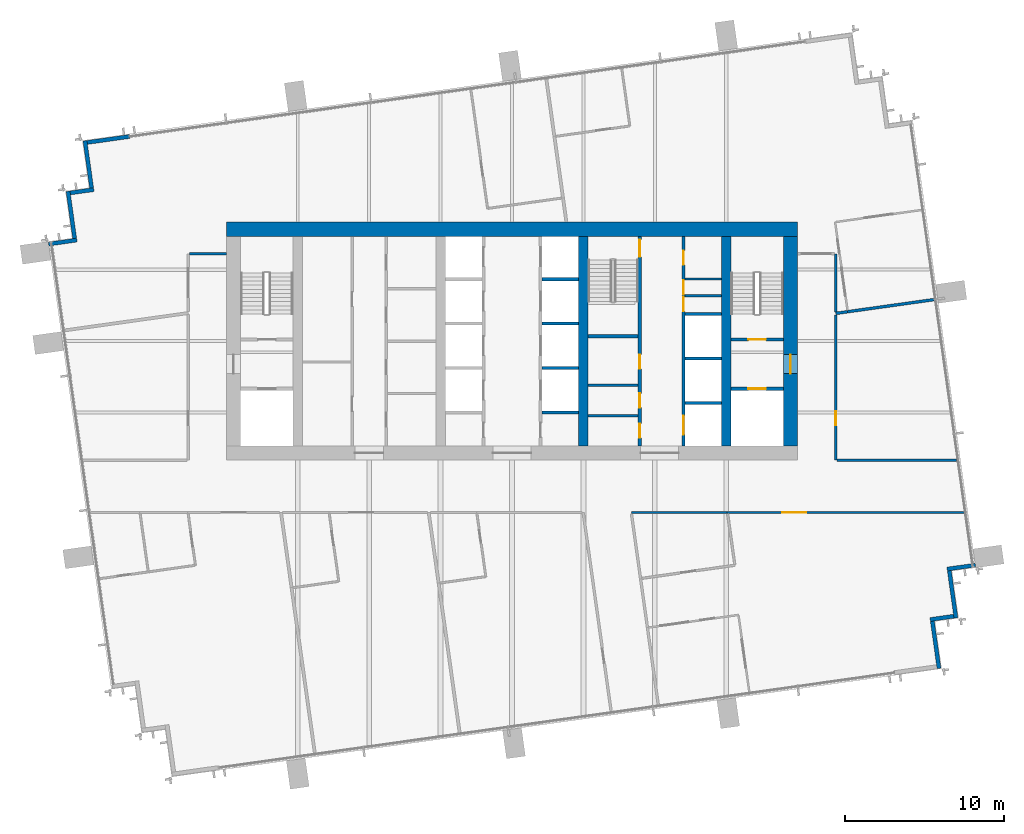
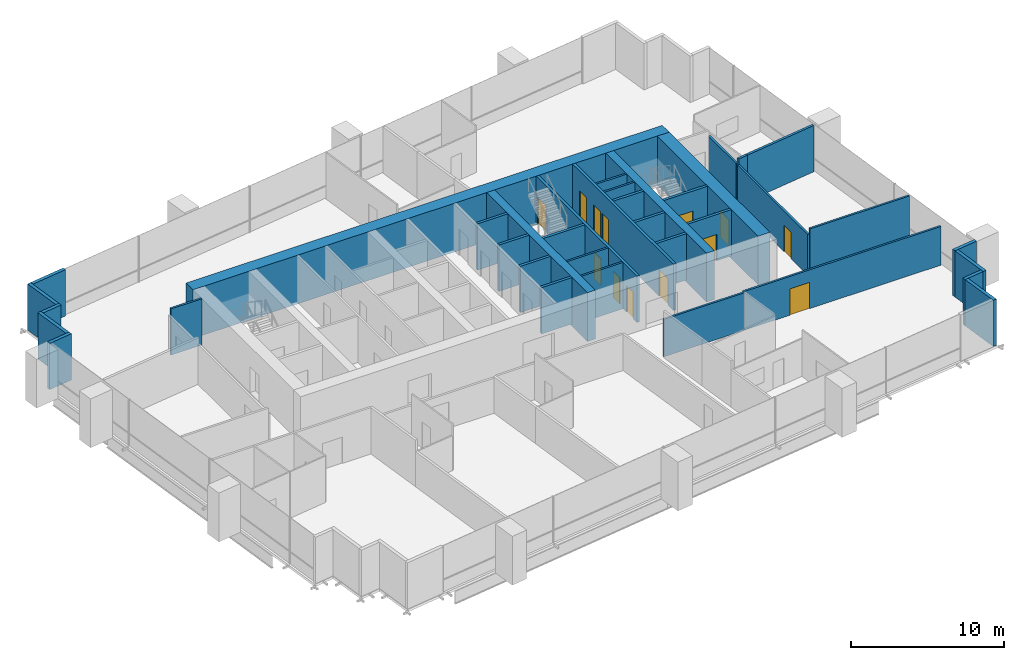
# One storey, part 11 of 14: 37 walls, 13 doors, 13 openings.
"""IFC4 building model written with IfcOpenShell, lengths in metres."""

from ifc_helpers import new_model, si_unit, direction, frame, frame_2d, origin, place, context, subcontext, project, spatial, rectangle, extrude, material, layer, layer_set, type_object, element, fill, save


model = new_model("IFC4")

# Units and contexts
model_context = context("Model", 3, precision=1e-05, world=origin(), true_north=direction((0.0, 1.0)))
body_context = subcontext(model_context, "Body", "Model", "MODEL_VIEW")
ifc_project = project(units=[si_unit("LENGTHUNIT", "METRE"), si_unit("AREAUNIT", "SQUARE_METRE"), si_unit("VOLUMEUNIT", "CUBIC_METRE"), si_unit("PLANEANGLEUNIT", "RADIAN"), si_unit("MASSUNIT", "GRAM", prefix="KILO")], contexts=[model_context])

# Site, building, storey
site_placement = place(None, origin())
site = spatial("IfcSite", under=ifc_project, at=site_placement, CompositionType="ELEMENT")
building_placement = place(site_placement, origin())
building = spatial("IfcBuilding", under=site, at=building_placement, Name="Rattan Terrace Tower", CompositionType="ELEMENT")
storey_placement = place(building_placement, frame((0.0, 0.0, 195.800048828125)))
storey = spatial("IfcBuildingStorey", under=building, at=storey_placement, Name="L45", CompositionType="ELEMENT", Elevation=195.800048828125)

# Walls
ifc_material_1 = material(Name="Gypsum board partition")
ifc_layer_1 = layer(ifc_material_1, 0.14990234375)
ifc_layer_set_1 = layer_set([ifc_layer_1], Name="Core partition 150")
wall_type_1 = type_object("IfcWallType", Name="Core partition 150", PredefinedType="PARTITIONING", material=ifc_layer_set_1)
for number, where, z_axis, x_axis, name in (
    (1, (4.800048828125, -4.696044921875, 0.0), (0.0, 0.0, 1.0), (1.0, 0.0, 0.0), "Toilet wall"),
    (2, (4.800048828125, -2.7919921875, 0.0), (0.0, 0.0, 1.0), (1.0, 0.0, 0.0), "Toilet wall"),
):
    element("IfcWall", number, at=place(storey_placement, frame(where, z_axis=z_axis, x_axis=x_axis)), inside=storey, type_object=wall_type_1, Name=name, PredefinedType="PARTITIONING", context=body_context, shape_type="SweptSolid", body=[
        extrude(rectangle(XDim=3.14990234375, YDim=0.14990234375, at=frame_2d((1.574951171875, 0.0))), origin(), (0.0, 0.0, 1.0), 3.699951171875),
    ])
for number, where, z_axis, x_axis, name in (
    (3, (10.89990234375, 2.85595703125, 0.0), (0.0, 0.0, 1.0), (1.0, 0.0, 0.0), "Riser room wall"),
    (4, (10.89990234375, 3.912109375, 0.0), (0.0, 0.0, 1.0), (1.0, 0.0, 0.0), "Riser room wall"),
):
    element("IfcWall", number, at=place(storey_placement, frame(where, z_axis=z_axis, x_axis=x_axis)), inside=storey, type_object=wall_type_1, Name=name, PredefinedType="PARTITIONING", context=body_context, shape_type="SweptSolid", body=[
        extrude(rectangle(XDim=2.300048828125, YDim=0.14990234375, at=frame_2d((1.14990234375, 0.0))), origin(), (0.0, 0.0, 1.0), 3.699951171875),
    ])

# Wall, opening, door
ifc_material_2 = material(Name="Gypsum board partition")
ifc_layer_2 = layer(ifc_material_2, 0.199951171875)
ifc_layer_set_2 = layer_set([ifc_layer_2], Name="Core partition 200")
wall_type_2 = type_object("IfcWallType", Name="Core partition 200", PredefinedType="PARTITIONING", material=ifc_layer_set_2)
wall_1_placement = place(storey_placement, frame((13.800048828125, -3.0, 0.0), z_axis=(0.0, 0.0, 1.0), x_axis=(1.0, 0.0, 0.0)))
wall_1 = element("IfcWall", 5, at=wall_1_placement, inside=storey, type_object=wall_type_2, Name="Fire-fighting lobby wall", PredefinedType="PARTITIONING", context=body_context, shape_type="SweptSolid", body=[
    extrude(rectangle(XDim=3.300048828125, YDim=0.199951171875, at=frame_2d((1.64990234375, 0.0))), origin(), (0.0, 0.0, 1.0), 3.699951171875),
])
opening_1_placement = place(wall_1_placement, frame((1.10009765625, 0.0, 0.0)))
opening_1 = element("IfcOpeningElement", 6, at=opening_1_placement, cuts=wall_1, Name="Opening L45-LD-FF2", PredefinedType="OPENING", context=body_context, shape_type="SweptSolid", body=[
    extrude(rectangle(XDim=1.10009765625, YDim=2.10009765625, at=frame_2d((0.550048828125, 1.050048828125))), frame((0.0, 0.110595703125, 0.0), z_axis=(0.0, -1.0, 0.0), x_axis=(1.0, 0.0, 0.0)), (0.0, 0.0, 1.0), 0.220947265625),
])
ifc_material_3 = material(Name="Brushed stainless landing door panel")
door_type_1 = type_object("IfcDoorType", Name="Core lift landing door 1100", OperationType="DOUBLE_DOOR_SLIDING", PredefinedType="DOOR", material=ifc_material_3)
door_1_placement = place(opening_1_placement, origin())
door_1 = element("IfcDoor", 7, at=door_1_placement, inside=storey, type_object=door_type_1, Name="Door L45-LD-FF2", OperationType="DOUBLE_DOOR_SLIDING", OverallHeight=2.10009765625, OverallWidth=1.10009765625, PredefinedType="DOOR", context=body_context, shape_type="SweptSolid", body=[
    extrude(rectangle(XDim=1.10009765625, YDim=2.10009765625, at=frame_2d((0.550048828125, 1.050048828125))), frame((0.0, 0.02490234375, 0.0), z_axis=(0.0, -1.0, 0.0), x_axis=(1.0, 0.0, 0.0)), (0.0, 0.0, 1.0), 0.050048828125),
])
fill(opening_1, door_1)

wall_2_placement = place(storey_placement, frame((13.800048828125, 0.10009765625, 0.0), z_axis=(0.0, 0.0, 1.0), x_axis=(1.0, 0.0, 0.0)))
wall_2 = element("IfcWall", 8, at=wall_2_placement, inside=storey, type_object=wall_type_2, Name="Stair enclosure wall", PredefinedType="PARTITIONING", context=body_context, shape_type="SweptSolid", body=[
    extrude(rectangle(XDim=3.300048828125, YDim=0.199951171875, at=frame_2d((1.64990234375, 0.0))), origin(), (0.0, 0.0, 1.0), 3.699951171875),
])
opening_2_placement = place(wall_2_placement, frame((1.10009765625, 0.0, 0.0)))
opening_2 = element("IfcOpeningElement", 9, at=opening_2_placement, cuts=wall_2, Name="Opening L45-D004", PredefinedType="OPENING", context=body_context, shape_type="SweptSolid", body=[
    extrude(rectangle(XDim=1.10009765625, YDim=2.10009765625, at=frame_2d((0.550048828125, 1.050048828125))), frame((0.0, 0.110595703125, 0.0), z_axis=(0.0, -1.0, 0.0), x_axis=(1.0, 0.0, 0.0)), (0.0, 0.0, 1.0), 0.220947265625),
])
ifc_material_4 = material(Name="Hollow-metal fire door leaf")
door_type_2 = type_object("IfcDoorType", Name="Core stair door 1100", OperationType="NOTDEFINED", PredefinedType="DOOR", material=ifc_material_4)
door_2_placement = place(opening_2_placement, origin())
door_2 = element("IfcDoor", 10, at=door_2_placement, inside=storey, type_object=door_type_2, Name="Door L45-D004", OperationType="SINGLE_SWING_RIGHT", OverallHeight=2.10009765625, OverallWidth=1.10009765625, PredefinedType="DOOR", context=body_context, shape_type="SweptSolid", body=[
    extrude(rectangle(XDim=1.10009765625, YDim=2.10009765625, at=frame_2d((0.550048828125, 1.050048828125))), frame((0.0, 0.02490234375, 0.0), z_axis=(0.0, -1.0, 0.0), x_axis=(1.0, 0.0, 0.0)), (0.0, 0.0, 1.0), 0.050048828125),
])
fill(opening_2, door_2)

# Wall, openings, doors
wall_3_placement = place(storey_placement, frame((8.050048828125, -6.60009765625, 0.0), z_axis=(0.0, 0.0, 1.0), x_axis=(0.0, 1.0, 0.0)))
wall_3 = element("IfcWall", 11, at=wall_3_placement, inside=storey, type_object=wall_type_2, Name="Lobby wall west", PredefinedType="PARTITIONING", context=body_context, shape_type="SweptSolid", body=[
    extrude(rectangle(XDim=13.2001953125, YDim=0.199951171875, at=frame_2d((6.60009765625, 0.0))), origin(), (0.0, 0.0, 1.0), 3.699951171875),
])
opening_3_placement = place(wall_3_placement, frame((0.501953125, 0.0, 0.0)))
opening_3 = element("IfcOpeningElement", 12, at=opening_3_placement, cuts=wall_3, Name="Opening L45-D015", PredefinedType="OPENING", context=body_context, shape_type="SweptSolid", body=[
    extrude(rectangle(XDim=0.89990234375, YDim=2.10009765625, at=frame_2d((0.449951171875, 1.050048828125))), frame((0.0, 0.110595703125, 0.0), z_axis=(0.0, -1.0, 0.0), x_axis=(1.0, 0.0, 0.0)), (0.0, 0.0, 1.0), 0.220947265625),
])
opening_4_placement = place(wall_3_placement, frame((2.406005859375, 0.0, 0.0)))
opening_4 = element("IfcOpeningElement", 13, at=opening_4_placement, cuts=wall_3, Name="Opening L45-D016", PredefinedType="OPENING", context=body_context, shape_type="SweptSolid", body=[
    extrude(rectangle(XDim=0.89990234375, YDim=2.10009765625, at=frame_2d((0.449951171875, 1.050048828125))), frame((0.0, 0.110595703125, 0.0), z_axis=(0.0, -1.0, 0.0), x_axis=(1.0, 0.0, 0.0)), (0.0, 0.0, 1.0), 0.220947265625),
])
opening_5_placement = place(wall_3_placement, frame((4.85400390625, 0.0, 0.0)))
opening_5 = element("IfcOpeningElement", 14, at=opening_5_placement, cuts=wall_3, Name="Opening L45-D017", PredefinedType="OPENING", context=body_context, shape_type="SweptSolid", body=[
    extrude(rectangle(XDim=0.89990234375, YDim=2.10009765625, at=frame_2d((0.449951171875, 1.050048828125))), frame((0.0, 0.110595703125, 0.0), z_axis=(0.0, -1.0, 0.0), x_axis=(1.0, 0.0, 0.0)), (0.0, 0.0, 1.0), 0.220947265625),
])
opening_6_placement = place(wall_3_placement, frame((11.89990234375, 0.0, 0.0)))
opening_6 = element("IfcOpeningElement", 15, at=opening_6_placement, cuts=wall_3, Name="Opening L45-D018", PredefinedType="OPENING", context=body_context, shape_type="SweptSolid", body=[
    extrude(rectangle(XDim=1.10009765625, YDim=2.10009765625, at=frame_2d((0.550048828125, 1.050048828125))), frame((0.0, 0.110595703125, 0.0), z_axis=(0.0, -1.0, 0.0), x_axis=(1.0, 0.0, 0.0)), (0.0, 0.0, 1.0), 0.220947265625),
])
door_3_placement = place(opening_6_placement, origin())
door_3 = element("IfcDoor", 16, at=door_3_placement, inside=storey, type_object=door_type_2, Name="Door L45-D018", OperationType="SINGLE_SWING_LEFT", OverallHeight=2.10009765625, OverallWidth=1.10009765625, PredefinedType="DOOR", context=body_context, shape_type="SweptSolid", body=[
    extrude(rectangle(XDim=1.10009765625, YDim=2.10009765625, at=frame_2d((0.550048828125, 1.050048828125))), frame((0.0, 0.02490234375, 0.0), z_axis=(0.0, -1.0, 0.0), x_axis=(1.0, 0.0, 0.0)), (0.0, 0.0, 1.0), 0.050048828125),
])
fill(opening_6, door_3)
ifc_material_5 = material(Name="Hollow-metal fire door leaf")
door_type_3 = type_object("IfcDoorType", Name="Core toilet door 900", OperationType="NOTDEFINED", PredefinedType="DOOR", material=ifc_material_5)
door_4_placement = place(opening_3_placement, origin())
door_4 = element("IfcDoor", 17, at=door_4_placement, inside=storey, type_object=door_type_3, Name="Door L45-D015", OperationType="SINGLE_SWING_RIGHT", OverallHeight=2.10009765625, OverallWidth=0.89990234375, PredefinedType="DOOR", context=body_context, shape_type="SweptSolid", body=[
    extrude(rectangle(XDim=0.89990234375, YDim=2.10009765625, at=frame_2d((0.449951171875, 1.050048828125))), frame((0.0, 0.02490234375, 0.0), z_axis=(0.0, -1.0, 0.0), x_axis=(1.0, 0.0, 0.0)), (0.0, 0.0, 1.0), 0.050048828125),
])
fill(opening_3, door_4)
door_5_placement = place(opening_4_placement, origin())
door_5 = element("IfcDoor", 18, at=door_5_placement, inside=storey, type_object=door_type_3, Name="Door L45-D016", OperationType="SINGLE_SWING_LEFT", OverallHeight=2.10009765625, OverallWidth=0.89990234375, PredefinedType="DOOR", context=body_context, shape_type="SweptSolid", body=[
    extrude(rectangle(XDim=0.89990234375, YDim=2.10009765625, at=frame_2d((0.449951171875, 1.050048828125))), frame((0.0, 0.02490234375, 0.0), z_axis=(0.0, -1.0, 0.0), x_axis=(1.0, 0.0, 0.0)), (0.0, 0.0, 1.0), 0.050048828125),
])
fill(opening_4, door_5)
door_6_placement = place(opening_5_placement, origin())
door_6 = element("IfcDoor", 19, at=door_6_placement, inside=storey, type_object=door_type_3, Name="Door L45-D017", OperationType="SINGLE_SWING_RIGHT", OverallHeight=2.10009765625, OverallWidth=0.89990234375, PredefinedType="DOOR", context=body_context, shape_type="SweptSolid", body=[
    extrude(rectangle(XDim=0.89990234375, YDim=2.10009765625, at=frame_2d((0.449951171875, 1.050048828125))), frame((0.0, 0.02490234375, 0.0), z_axis=(0.0, -1.0, 0.0), x_axis=(1.0, 0.0, 0.0)), (0.0, 0.0, 1.0), 0.050048828125),
])
fill(opening_5, door_6)

# Walls
wall_4_placement = place(storey_placement, frame((4.800048828125, 0.300048828125, 0.0), z_axis=(0.0, 0.0, 1.0), x_axis=(1.0, 0.0, 0.0)))
element("IfcWall", 20, at=wall_4_placement, inside=storey, type_object=wall_type_2, Name="Stair enclosure wall", PredefinedType="PARTITIONING", context=body_context, shape_type="SweptSolid", body=[
    extrude(rectangle(XDim=3.14990234375, YDim=0.199951171875, at=frame_2d((1.574951171875, 0.0))), origin(), (0.0, 0.0, 1.0), 3.699951171875),
])
ifc_material_6 = material(Name="Concrete C60/75", Category="concrete")
ifc_layer_3 = layer(ifc_material_6, 0.89990234375)
ifc_layer_set_3 = layer_set([ifc_layer_3], Name="Core ring wall 900 C60/75")
wall_type_3 = type_object("IfcWallType", Name="Core ring wall 900 C60/75", PredefinedType="SHEAR", material=ifc_layer_set_3)
wall_5_placement = place(storey_placement, frame((-18.0, 7.050048828125, -0.199951171875), z_axis=(0.0, 0.0, 1.0), x_axis=(1.0, 0.0, 0.0)))
element("IfcWall", 21, at=wall_5_placement, inside=storey, type_object=wall_type_3, Name="Rear core wall north", PredefinedType="SHEAR", context=body_context, shape_type="SweptSolid", body=[
    extrude(rectangle(XDim=36.0, YDim=0.89990234375, at=frame_2d((18.0, 0.0))), origin(), (0.0, 0.0, 1.0), 3.89990234375),
])

# Wall, opening, door
wall_6_placement = place(storey_placement, frame((17.550048828125, -6.60009765625, -0.199951171875), z_axis=(0.0, 0.0, 1.0), x_axis=(0.0, 1.0, 0.0)))
wall_6 = element("IfcWall", 22, at=wall_6_placement, inside=storey, type_object=wall_type_3, Name="Rear core wall east", PredefinedType="SHEAR", context=body_context, shape_type="SweptSolid", body=[
    extrude(rectangle(XDim=13.2001953125, YDim=0.89990234375, at=frame_2d((6.60009765625, 0.0))), origin(), (0.0, 0.0, 1.0), 3.89990234375),
])
opening_7_placement = place(wall_6_placement, frame((4.550048828125, 0.0, 0.199951171875)))
opening_7 = element("IfcOpeningElement", 23, at=opening_7_placement, cuts=wall_6, Name="Opening L45-D003", PredefinedType="OPENING", context=body_context, shape_type="SweptSolid", body=[
    extrude(rectangle(XDim=1.199951171875, YDim=2.10009765625, at=frame_2d((0.60009765625, 1.050048828125))), frame((0.0, 0.46044921875, 0.0), z_axis=(0.0, -1.0, 0.0), x_axis=(1.0, 0.0, 0.0)), (0.0, 0.0, 1.0), 0.9208984375),
])
ifc_material_7 = material(Name="Hollow-metal fire door leaf")
door_type_4 = type_object("IfcDoorType", Name="Core fire-fighting lobby door 1200", OperationType="NOTDEFINED", PredefinedType="DOOR", material=ifc_material_7)
door_7_placement = place(opening_7_placement, origin())
door_7 = element("IfcDoor", 24, at=door_7_placement, inside=storey, type_object=door_type_4, Name="Door L45-D003", OperationType="SINGLE_SWING_LEFT", OverallHeight=2.10009765625, OverallWidth=1.199951171875, PredefinedType="DOOR", context=body_context, shape_type="SweptSolid", body=[
    extrude(rectangle(XDim=1.199951171875, YDim=2.10009765625, at=frame_2d((0.60009765625, 1.050048828125))), frame((0.0, 0.02490234375, 0.0), z_axis=(0.0, -1.0, 0.0), x_axis=(1.0, 0.0, 0.0)), (0.0, 0.0, 1.0), 0.050048828125),
])
fill(opening_7, door_7)

# Walls
ifc_material_8 = material(Name="Concrete C60/75", Category="concrete")
ifc_layer_4 = layer(ifc_material_8, 0.60009765625)
ifc_layer_set_4 = layer_set([ifc_layer_4], Name="Core spine wall 600 C60/75")
wall_type_4 = type_object("IfcWallType", Name="Core spine wall 600 C60/75", PredefinedType="SHEAR", material=ifc_layer_set_4)
for number, where, z_axis, x_axis, name in (
    (25, (4.5, -6.60009765625, -0.199951171875), (0.0, 0.0, 1.0), (0.0, 1.0, 0.0), "Core spine wall 3"),
    (26, (13.5, -6.60009765625, -0.199951171875), (0.0, 0.0, 1.0), (0.0, 1.0, 0.0), "Core spine wall 4"),
):
    element("IfcWall", number, at=place(storey_placement, frame(where, z_axis=z_axis, x_axis=x_axis)), inside=storey, type_object=wall_type_4, Name=name, PredefinedType="SHEAR", context=body_context, shape_type="SweptSolid", body=[
        extrude(rectangle(XDim=13.2001953125, YDim=0.60009765625, at=frame_2d((6.60009765625, 0.0))), origin(), (0.0, 0.0, 1.0), 3.89990234375),
    ])
ifc_material_9 = material(Name="Insulated aluminium-clad stud wall", Category="aluminium")
ifc_layer_5 = layer(ifc_material_9, 0.25)
ifc_layer_set_5 = layer_set([ifc_layer_5], Name="Facade Riser Wall 250")
wall_type_5 = type_object("IfcWallType", Name="Facade Riser Wall 250", PredefinedType="SOLIDWALL", material=ifc_layer_set_5)
wall_7_placement = place(storey_placement, frame((26.9052734375, -20.6220703125, 0.0), z_axis=(0.0, 0.0, 1.0), x_axis=(-0.139313431826, 0.990248336385, 0.0)))
element("IfcWall", 27, at=wall_7_placement, inside=storey, type_object=wall_type_5, Name="Riser wall L45-2", PredefinedType="SOLIDWALL", context=body_context, shape_type="SweptSolid", body=[
    extrude(rectangle(XDim=3.000244140625, YDim=0.25, at=frame_2d((1.5, 0.0))), origin(), (0.0, 0.0, 1.0), 3.699951171875),
])
wall_8_placement = place(storey_placement, frame((26.34619140625, -17.54443359375, 0.0), z_axis=(0.0, 0.0, 1.0), x_axis=(0.990368090482, 0.13845954411, 0.0)))
element("IfcWall", 28, at=wall_8_placement, inside=storey, type_object=wall_type_5, Name="Riser wall L45-3", PredefinedType="SOLIDWALL", context=body_context, shape_type="SweptSolid", body=[
    extrude(rectangle(XDim=1.50048828125, YDim=0.25, at=frame_2d((0.750244140625, 0.0))), origin(), (0.0, 0.0, 1.0), 3.699951171875),
])
wall_9_placement = place(storey_placement, frame((27.973388671875, -17.443115234375, 0.0), z_axis=(0.0, 0.0, 1.0), x_axis=(-0.139313431826, 0.990248336385, 0.0)))
element("IfcWall", 29, at=wall_9_placement, inside=storey, type_object=wall_type_5, Name="Riser wall L45-4", PredefinedType="SOLIDWALL", context=body_context, shape_type="SweptSolid", body=[
    extrude(rectangle(XDim=3.000244140625, YDim=0.25, at=frame_2d((1.5, 0.0))), origin(), (0.0, 0.0, 1.0), 3.699951171875),
])
wall_10_placement = place(storey_placement, frame((27.414306640625, -14.36572265625, 0.0), z_axis=(0.0, 0.0, 1.0), x_axis=(0.990256286673, 0.139256908998, 0.0)))
element("IfcWall", 30, at=wall_10_placement, inside=storey, type_object=wall_type_5, Name="Riser wall L45-5", PredefinedType="SOLIDWALL", context=body_context, shape_type="SweptSolid", body=[
    extrude(rectangle(XDim=1.800537109375, YDim=0.25, at=frame_2d((0.900390625, 0.0))), origin(), (0.0, 0.0, 1.0), 3.699951171875),
])
wall_11_placement = place(storey_placement, frame((-24.08544921875, 12.892578125, 0.0), z_axis=(0.0, 0.0, 1.0), x_axis=(-0.990255800966, -0.139260362823, 0.0)))
element("IfcWall", 31, at=wall_11_placement, inside=storey, type_object=wall_type_5, Name="Riser wall L45-11", PredefinedType="SOLIDWALL", context=body_context, shape_type="SweptSolid", body=[
    extrude(rectangle(XDim=2.705078125, YDim=0.25, at=frame_2d((1.3525390625, 0.0))), origin(), (0.0, 0.0, 1.0), 3.699951171875),
])
wall_12_placement = place(storey_placement, frame((-26.9052734375, 12.6220703125, 0.0), z_axis=(0.0, 0.0, 1.0), x_axis=(0.139313431826, -0.990248336385, 0.0)))
element("IfcWall", 32, at=wall_12_placement, inside=storey, type_object=wall_type_5, Name="Riser wall L45-12", PredefinedType="SOLIDWALL", context=body_context, shape_type="SweptSolid", body=[
    extrude(rectangle(XDim=3.000244140625, YDim=0.25, at=frame_2d((1.5, 0.0))), origin(), (0.0, 0.0, 1.0), 3.699951171875),
])
wall_13_placement = place(storey_placement, frame((-26.34619140625, 9.54443359375, 0.0), z_axis=(0.0, 0.0, 1.0), x_axis=(-0.990368090482, -0.13845954411, 0.0)))
element("IfcWall", 33, at=wall_13_placement, inside=storey, type_object=wall_type_5, Name="Riser wall L45-13", PredefinedType="SOLIDWALL", context=body_context, shape_type="SweptSolid", body=[
    extrude(rectangle(XDim=1.50048828125, YDim=0.25, at=frame_2d((0.750244140625, 0.0))), origin(), (0.0, 0.0, 1.0), 3.699951171875),
])
wall_14_placement = place(storey_placement, frame((-27.973388671875, 9.443115234375, 0.0), z_axis=(0.0, 0.0, 1.0), x_axis=(0.139313431826, -0.990248336385, 0.0)))
element("IfcWall", 34, at=wall_14_placement, inside=storey, type_object=wall_type_5, Name="Riser wall L45-14", PredefinedType="SOLIDWALL", context=body_context, shape_type="SweptSolid", body=[
    extrude(rectangle(XDim=3.000244140625, YDim=0.25, at=frame_2d((1.5, 0.0))), origin(), (0.0, 0.0, 1.0), 3.699951171875),
])
wall_15_placement = place(storey_placement, frame((-27.414306640625, 6.36572265625, 0.0), z_axis=(0.0, 0.0, 1.0), x_axis=(-0.990256286673, -0.139256908998, 0.0)))
element("IfcWall", 35, at=wall_15_placement, inside=storey, type_object=wall_type_5, Name="Riser wall L45-15", PredefinedType="SOLIDWALL", context=body_context, shape_type="SweptSolid", body=[
    extrude(rectangle(XDim=1.800537109375, YDim=0.25, at=frame_2d((0.900390625, 0.0))), origin(), (0.0, 0.0, 1.0), 3.699951171875),
])
ifc_material_10 = material(Name="Double steel stud acoustic partition, gypsum board, mineral wool, fire rated", Category="steel")
ifc_layer_6 = layer(ifc_material_10, 0.179931640625)
ifc_layer_set_6 = layer_set([ifc_layer_6], Name="Floors Acoustic Party Wall 180")
wall_type_6 = type_object("IfcWallType", Name="Floors Acoustic Party Wall 180", PredefinedType="PARTITIONING", material=ifc_layer_set_6)
wall_16_placement = place(storey_placement, frame((20.39892578125, 1.7451171875, 0.0), z_axis=(0.0, 0.0, 1.0), x_axis=(0.990315465901, 0.138835434947, 0.0)))
element("IfcWall", 36, at=wall_16_placement, inside=storey, type_object=wall_type_6, Name="pt-L45-044", PredefinedType="PARTITIONING", context=body_context, shape_type="SweptSolid", body=[
    extrude(rectangle(XDim=0.740234375, YDim=0.179931640625, at=frame_2d((0.3701171875, 0.0))), origin(), (0.0, 0.0, 1.0), 3.699951171875),
])
wall_17_placement = place(storey_placement, frame((21.132080078125, 1.847900390625, 0.0), z_axis=(0.0, 0.0, 1.0), x_axis=(0.990277893792, 0.139103174181, 0.0)))
element("IfcWall", 37, at=wall_17_placement, inside=storey, type_object=wall_type_6, Name="pt-L45-045", PredefinedType="PARTITIONING", context=body_context, shape_type="SweptSolid", body=[
    extrude(rectangle(XDim=5.50048828125, YDim=0.179931640625, at=frame_2d((2.750244140625, 0.0))), origin(), (0.0, 0.0, 1.0), 3.699951171875),
])

# Wall, opening, door
ifc_material_11 = material(Name="Gypsum board partition on steel studs, fire rated", Category="steel")
ifc_layer_7 = layer(ifc_material_11, 0.14990234375)
ifc_layer_set_7 = layer_set([ifc_layer_7], Name="Floors Tenancy Wall 150")
wall_type_7 = type_object("IfcWallType", Name="Floors Tenancy Wall 150", PredefinedType="PARTITIONING", material=ifc_layer_set_7)
wall_18_placement = place(storey_placement, frame((28.462890625, -10.800048828125, 0.0), z_axis=(0.0, 0.0, 1.0), x_axis=(-1.0, 0.0, 0.0)))
wall_18 = element("IfcWall", 38, at=wall_18_placement, inside=storey, type_object=wall_type_7, Name="pt-L45-010", PredefinedType="PARTITIONING", context=body_context, shape_type="SweptSolid", body=[
    extrude(rectangle(XDim=14.908935546875, YDim=0.14990234375, at=frame_2d((7.45458984375, 0.0))), origin(), (0.0, 0.0, 1.0), 3.099853515625),
])
opening_8_placement = place(wall_18_placement, frame((9.931884765625, 0.0, 0.0)))
opening_8 = element("IfcOpeningElement", 39, at=opening_8_placement, cuts=wall_18, Name="Opening L45-D107", PredefinedType="OPENING", context=body_context, shape_type="SweptSolid", body=[
    extrude(rectangle(XDim=1.5, YDim=2.10009765625, at=frame_2d((0.75, 1.050048828125))), frame((0.0, 0.08544921875, 0.0), z_axis=(0.0, -1.0, 0.0), x_axis=(1.0, 0.0, 0.0)), (0.0, 0.0, 1.0), 0.1708984375),
])
ifc_material_12 = material(Name="Steel fire door set", Category="steel")
door_type_5 = type_object("IfcDoorType", Name="Floors Unit Door Pair FD30S 1500x2100", OperationType="NOTDEFINED", PredefinedType="DOOR", material=ifc_material_12)
door_8_placement = place(opening_8_placement, origin())
door_8 = element("IfcDoor", 40, at=door_8_placement, inside=storey, type_object=door_type_5, Name="d-L45-107", OperationType="DOUBLE_DOOR_SINGLE_SWING", OverallHeight=2.10009765625, OverallWidth=1.5, PredefinedType="DOOR", context=body_context, shape_type="SweptSolid", body=[
    extrude(rectangle(XDim=1.5, YDim=2.10009765625, at=frame_2d((0.75, 1.050048828125))), frame((0.0, 0.02490234375, 0.0), z_axis=(0.0, -1.0, 0.0), x_axis=(1.0, 0.0, 0.0)), (0.0, 0.0, 1.0), 0.050048828125),
])
fill(opening_8, door_8)

# Walls
wall_19_placement = place(storey_placement, frame((13.553955078125, -10.800048828125, 0.0), z_axis=(0.0, 0.0, 1.0), x_axis=(-1.0, 0.0, 0.0)))
element("IfcWall", 41, at=wall_19_placement, inside=storey, type_object=wall_type_7, Name="pt-L45-013", PredefinedType="PARTITIONING", context=body_context, shape_type="SweptSolid", body=[
    extrude(rectangle(XDim=6.0390625, YDim=0.14990234375, at=frame_2d((3.01953125, 0.0))), origin(), (0.0, 0.0, 1.0), 3.0),
])
wall_20_placement = place(storey_placement, frame((-20.324951171875, 5.5009765625, 0.0), z_axis=(0.0, 0.0, 1.0), x_axis=(1.0, 0.0, 0.0)))
element("IfcWall", 42, at=wall_20_placement, inside=storey, type_object=wall_type_7, Name="pt-L45-017", PredefinedType="PARTITIONING", context=body_context, shape_type="SweptSolid", body=[
    extrude(rectangle(XDim=2.324951171875, YDim=0.14990234375, at=frame_2d((1.16259765625, 0.0))), origin(), (0.0, 0.0, 1.0), 3.699951171875),
])

# Wall, opening, door
wall_21_placement = place(storey_placement, frame((20.39990234375, 1.656005859375, 0.0), z_axis=(0.0, 0.0, 1.0), x_axis=(0.0, -1.0, 0.0)))
wall_21 = element("IfcWall", 43, at=wall_21_placement, inside=storey, type_object=wall_type_7, Name="pt-L45-018", PredefinedType="PARTITIONING", context=body_context, shape_type="SweptSolid", body=[
    extrude(rectangle(XDim=9.156005859375, YDim=0.14990234375, at=frame_2d((4.578125, 0.0))), origin(), (0.0, 0.0, 1.0), 3.25),
])
opening_9_placement = place(wall_21_placement, frame((6.06689453125, 0.0, 0.0)))
opening_9 = element("IfcOpeningElement", 44, at=opening_9_placement, cuts=wall_21, Name="Opening L45-D113", PredefinedType="OPENING", context=body_context, shape_type="SweptSolid", body=[
    extrude(rectangle(XDim=0.89990234375, YDim=2.10009765625, at=frame_2d((0.449951171875, 1.050048828125))), frame((0.0, 0.08544921875, 0.0), z_axis=(0.0, -1.0, 0.0), x_axis=(1.0, 0.0, 0.0)), (0.0, 0.0, 1.0), 0.1708984375),
])
ifc_material_13 = material(Name="Steel fire door set", Category="steel")
door_type_6 = type_object("IfcDoorType", Name="Floors Fire Door FD30S 900x2100", OperationType="NOTDEFINED", PredefinedType="DOOR", material=ifc_material_13)
door_9_placement = place(opening_9_placement, origin())
door_9 = element("IfcDoor", 45, at=door_9_placement, inside=storey, type_object=door_type_6, Name="d-L45-113", OperationType="SINGLE_SWING_RIGHT", OverallHeight=2.10009765625, OverallWidth=0.89990234375, PredefinedType="DOOR", context=body_context, shape_type="SweptSolid", body=[
    extrude(rectangle(XDim=0.89990234375, YDim=2.10009765625, at=frame_2d((0.449951171875, 1.050048828125))), frame((0.0, 0.02490234375, 0.0), z_axis=(0.0, -1.0, 0.0), x_axis=(1.0, 0.0, 0.0)), (0.0, 0.0, 1.0), 0.050048828125),
])
fill(opening_9, door_9)

# Walls
wall_22_placement = place(storey_placement, frame((20.47509765625, -7.5, 0.0), z_axis=(0.0, 0.0, 1.0), x_axis=(1.0, 0.0, 0.0)))
element("IfcWall", 46, at=wall_22_placement, inside=storey, type_object=wall_type_7, Name="pt-L45-019", PredefinedType="PARTITIONING", context=body_context, shape_type="SweptSolid", body=[
    extrude(rectangle(XDim=7.52392578125, YDim=0.14990234375, at=frame_2d((3.761962890625, 0.0))), origin(), (0.0, 0.0, 1.0), 3.699951171875),
])
wall_23_placement = place(storey_placement, frame((20.39990234375, 5.5, 0.0), z_axis=(0.0, 0.0, 1.0), x_axis=(0.0, -1.0, 0.0)))
element("IfcWall", 47, at=wall_23_placement, inside=storey, type_object=wall_type_7, Name="pt-L45-021", PredefinedType="PARTITIONING", context=body_context, shape_type="SweptSolid", body=[
    extrude(rectangle(XDim=3.654052734375, YDim=0.14990234375, at=frame_2d((1.8271484375, 0.0))), origin(), (0.0, 0.0, 1.0), 3.25),
])
ifc_material_14 = material(Name="Gypsum shaft wall system")
ifc_layer_8 = layer(ifc_material_14, 0.199951171875)
ifc_layer_set_8 = layer_set([ifc_layer_8], Name="Lift shaft wall 200")
wall_type_8 = type_object("IfcWallType", Name="Lift shaft wall 200", PredefinedType="PARTITIONING", material=ifc_layer_set_8)
for number, where, z_axis, x_axis, name in (
    (48, (1.89990234375, -1.699951171875, 0.0), (0.0, 0.0, 1.0), (1.0, 0.0, 0.0), "Lift shaft wall"),
    (49, (1.89990234375, 1.10009765625, 0.0), (0.0, 0.0, 1.0), (1.0, 0.0, 0.0), "Lift shaft wall"),
    (50, (1.89990234375, 3.89990234375, 0.0), (0.0, 0.0, 1.0), (1.0, 0.0, 0.0), "Lift shaft wall"),
    (51, (1.89990234375, -4.5, 0.0), (0.0, 0.0, 1.0), (1.0, 0.0, 0.0), "Lift shaft wall"),
):
    element("IfcWall", number, at=place(storey_placement, frame(where, z_axis=z_axis, x_axis=x_axis)), inside=storey, type_object=wall_type_8, Name=name, PredefinedType="PARTITIONING", context=body_context, shape_type="SweptSolid", body=[
        extrude(rectangle(XDim=2.300048828125, YDim=0.199951171875, at=frame_2d((1.14990234375, 0.0))), origin(), (0.0, 0.0, 1.0), 3.699951171875),
    ])

# Wall, openings, doors
wall_24_placement = place(storey_placement, frame((10.800048828125, -6.60009765625, 0.0), z_axis=(0.0, 0.0, 1.0), x_axis=(0.0, 1.0, 0.0)))
wall_24 = element("IfcWall", 52, at=wall_24_placement, inside=storey, type_object=wall_type_8, Name="Lift shaft front wall", PredefinedType="PARTITIONING", context=body_context, shape_type="SweptSolid", body=[
    extrude(rectangle(XDim=13.2001953125, YDim=0.199951171875, at=frame_2d((6.60009765625, 0.0))), origin(), (0.0, 0.0, 1.0), 3.699951171875),
])
opening_10_placement = place(wall_24_placement, frame((0.699951171875, 0.0, 0.0)))
opening_10 = element("IfcOpeningElement", 53, at=opening_10_placement, cuts=wall_24, Name="Opening L45-LD-SV1", PredefinedType="OPENING", context=body_context, shape_type="SweptSolid", body=[
    extrude(rectangle(XDim=1.199951171875, YDim=2.10009765625, at=frame_2d((0.60009765625, 1.050048828125))), frame((0.0, 0.110595703125, 0.0), z_axis=(0.0, -1.0, 0.0), x_axis=(1.0, 0.0, 0.0)), (0.0, 0.0, 1.0), 0.220947265625),
])
opening_11_placement = place(wall_24_placement, frame((8.47802734375, 0.0, 0.0)))
opening_11 = element("IfcOpeningElement", 54, at=opening_11_placement, cuts=wall_24, Name="Opening L45-D020", PredefinedType="OPENING", context=body_context, shape_type="SweptSolid", body=[
    extrude(rectangle(XDim=0.89990234375, YDim=2.10009765625, at=frame_2d((0.449951171875, 1.050048828125))), frame((0.0, 0.110595703125, 0.0), z_axis=(0.0, -1.0, 0.0), x_axis=(1.0, 0.0, 0.0)), (0.0, 0.0, 1.0), 0.220947265625),
])
opening_12_placement = place(wall_24_placement, frame((9.533935546875, 0.0, 0.0)))
opening_12 = element("IfcOpeningElement", 55, at=opening_12_placement, cuts=wall_24, Name="Opening L45-D021", PredefinedType="OPENING", context=body_context, shape_type="SweptSolid", body=[
    extrude(rectangle(XDim=0.89990234375, YDim=2.10009765625, at=frame_2d((0.449951171875, 1.050048828125))), frame((0.0, 0.110595703125, 0.0), z_axis=(0.0, -1.0, 0.0), x_axis=(1.0, 0.0, 0.0)), (0.0, 0.0, 1.0), 0.220947265625),
])
opening_13_placement = place(wall_24_placement, frame((11.406005859375, 0.0, 0.0)))
opening_13 = element("IfcOpeningElement", 56, at=opening_13_placement, cuts=wall_24, Name="Opening L45-D022", PredefinedType="OPENING", context=body_context, shape_type="SweptSolid", body=[
    extrude(rectangle(XDim=0.89990234375, YDim=2.10009765625, at=frame_2d((0.449951171875, 1.050048828125))), frame((0.0, 0.110595703125, 0.0), z_axis=(0.0, -1.0, 0.0), x_axis=(1.0, 0.0, 0.0)), (0.0, 0.0, 1.0), 0.220947265625),
])
ifc_material_15 = material(Name="Brushed stainless landing door panel")
door_type_7 = type_object("IfcDoorType", Name="Core lift landing door 1200", OperationType="DOUBLE_DOOR_SLIDING", PredefinedType="DOOR", material=ifc_material_15)
door_10_placement = place(opening_10_placement, origin())
door_10 = element("IfcDoor", 57, at=door_10_placement, inside=storey, type_object=door_type_7, Name="Door L45-LD-SV1", OperationType="DOUBLE_DOOR_SLIDING", OverallHeight=2.10009765625, OverallWidth=1.199951171875, PredefinedType="DOOR", context=body_context, shape_type="SweptSolid", body=[
    extrude(rectangle(XDim=1.199951171875, YDim=2.10009765625, at=frame_2d((0.60009765625, 1.050048828125))), frame((0.0, 0.02490234375, 0.0), z_axis=(0.0, -1.0, 0.0), x_axis=(1.0, 0.0, 0.0)), (0.0, 0.0, 1.0), 0.050048828125),
])
fill(opening_10, door_10)
ifc_material_16 = material(Name="Hollow-metal fire door leaf")
door_type_8 = type_object("IfcDoorType", Name="Core riser door 900", OperationType="NOTDEFINED", PredefinedType="DOOR", material=ifc_material_16)
door_11_placement = place(opening_11_placement, origin())
door_11 = element("IfcDoor", 58, at=door_11_placement, inside=storey, type_object=door_type_8, Name="Door L45-D020", OperationType="SINGLE_SWING_RIGHT", OverallHeight=2.10009765625, OverallWidth=0.89990234375, PredefinedType="DOOR", context=body_context, shape_type="SweptSolid", body=[
    extrude(rectangle(XDim=0.89990234375, YDim=2.10009765625, at=frame_2d((0.449951171875, 1.050048828125))), frame((0.0, 0.02490234375, 0.0), z_axis=(0.0, -1.0, 0.0), x_axis=(1.0, 0.0, 0.0)), (0.0, 0.0, 1.0), 0.050048828125),
])
fill(opening_11, door_11)
door_12_placement = place(opening_12_placement, origin())
door_12 = element("IfcDoor", 59, at=door_12_placement, inside=storey, type_object=door_type_8, Name="Door L45-D021", OperationType="SINGLE_SWING_LEFT", OverallHeight=2.10009765625, OverallWidth=0.89990234375, PredefinedType="DOOR", context=body_context, shape_type="SweptSolid", body=[
    extrude(rectangle(XDim=0.89990234375, YDim=2.10009765625, at=frame_2d((0.449951171875, 1.050048828125))), frame((0.0, 0.02490234375, 0.0), z_axis=(0.0, -1.0, 0.0), x_axis=(1.0, 0.0, 0.0)), (0.0, 0.0, 1.0), 0.050048828125),
])
fill(opening_12, door_12)
ifc_material_17 = material(Name="Hollow-metal fire door leaf")
door_type_9 = type_object("IfcDoorType", Name="Core service room door 900", OperationType="NOTDEFINED", PredefinedType="DOOR", material=ifc_material_17)
door_13_placement = place(opening_13_placement, origin())
door_13 = element("IfcDoor", 60, at=door_13_placement, inside=storey, type_object=door_type_9, Name="Door L45-D022", OperationType="SINGLE_SWING_RIGHT", OverallHeight=2.10009765625, OverallWidth=0.89990234375, PredefinedType="DOOR", context=body_context, shape_type="SweptSolid", body=[
    extrude(rectangle(XDim=0.89990234375, YDim=2.10009765625, at=frame_2d((0.449951171875, 1.050048828125))), frame((0.0, 0.02490234375, 0.0), z_axis=(0.0, -1.0, 0.0), x_axis=(1.0, 0.0, 0.0)), (0.0, 0.0, 1.0), 0.050048828125),
])
fill(opening_13, door_13)

# Walls
for number, where, z_axis, x_axis, name in (
    (61, (10.89990234375, -3.89990234375, 0.0), (0.0, 0.0, 1.0), (1.0, 0.0, 0.0), "Lift shaft wall"),
    (62, (10.89990234375, -1.10009765625, 0.0), (0.0, 0.0, 1.0), (1.0, 0.0, 0.0), "Lift shaft wall"),
    (63, (10.89990234375, 1.699951171875, 0.0), (0.0, 0.0, 1.0), (1.0, 0.0, 0.0), "Lift shaft wall"),
):
    element("IfcWall", number, at=place(storey_placement, frame(where, z_axis=z_axis, x_axis=x_axis)), inside=storey, type_object=wall_type_8, Name=name, PredefinedType="PARTITIONING", context=body_context, shape_type="SweptSolid", body=[
        extrude(rectangle(XDim=2.300048828125, YDim=0.199951171875, at=frame_2d((1.14990234375, 0.0))), origin(), (0.0, 0.0, 1.0), 3.699951171875),
    ])

save(model, "model.ifc")
